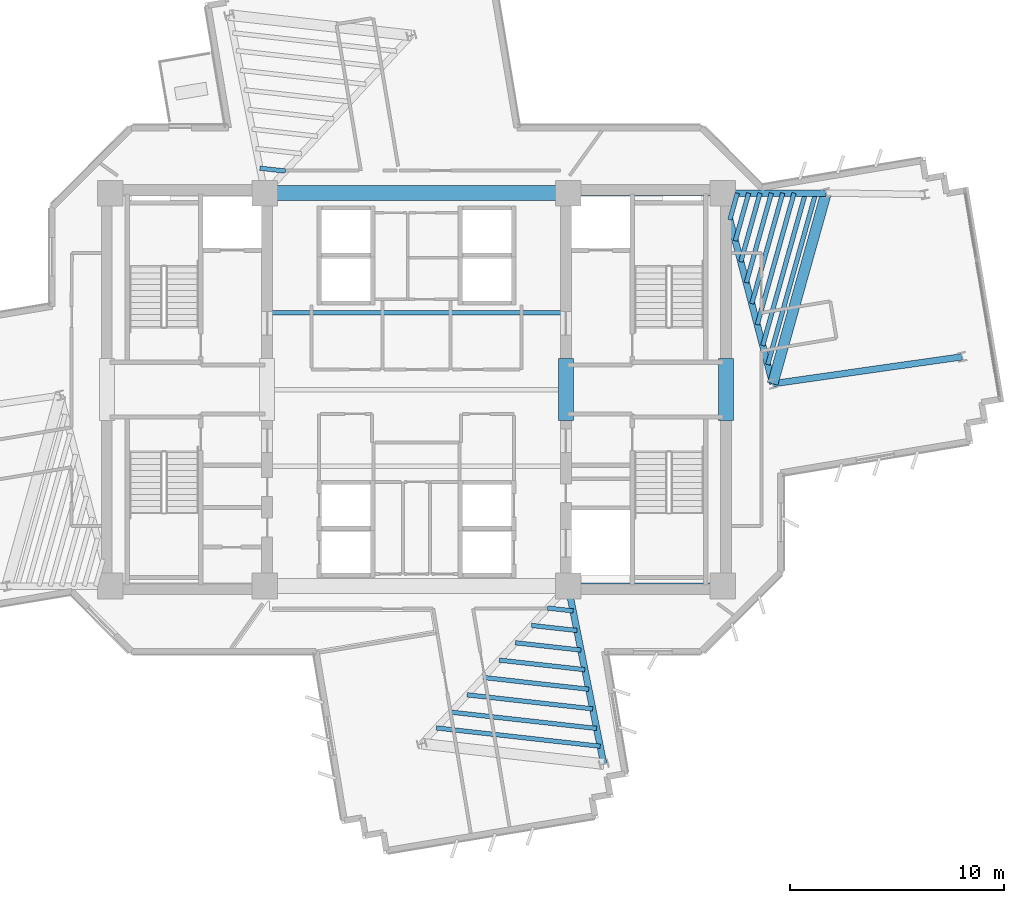
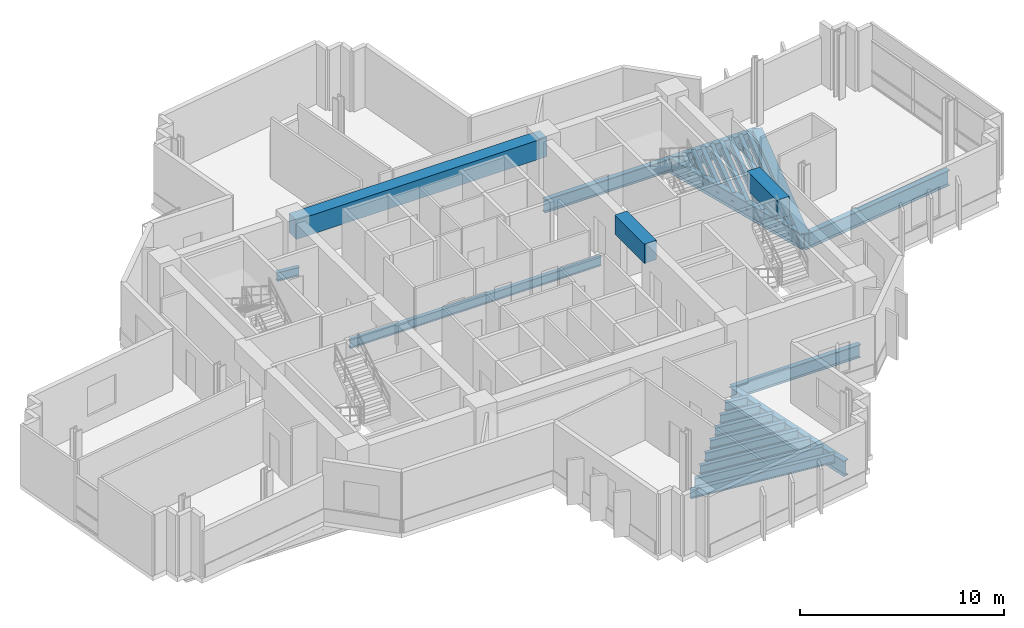
# One storey, part 4 of 15: 28 beams.
"""IFC4 building model written with IfcOpenShell, lengths in metres."""

from ifc_helpers import new_model, si_unit, direction, frame, origin, origin_2d, place, context, subcontext, project, spatial, rectangle, i_section, extrude, source, transform, mapped, material, material_profile, profile_set, type_object, element, save


model = new_model("IFC4")

# Units and contexts
model_context = context("Model", 3, precision=1e-05, world=origin(), true_north=direction((0.0, 1.0)))
body_context = subcontext(model_context, "Body", "Model", "MODEL_VIEW")
ifc_project = project(units=[si_unit("LENGTHUNIT", "METRE"), si_unit("AREAUNIT", "SQUARE_METRE"), si_unit("VOLUMEUNIT", "CUBIC_METRE"), si_unit("PLANEANGLEUNIT", "RADIAN"), si_unit("MASSUNIT", "GRAM", prefix="KILO")], contexts=[model_context])

# Site, building, storey
site_placement = place(None, origin())
site = spatial("IfcSite", under=ifc_project, at=site_placement, CompositionType="ELEMENT")
building_placement = place(site_placement, origin())
building = spatial("IfcBuilding", under=site, at=building_placement, Name="Zahravan Cultural Tower", CompositionType="ELEMENT")
storey_placement = place(building_placement, frame((0.0, 0.0, 143.39990234375)))
storey = spatial("IfcBuildingStorey", under=building, at=storey_placement, Name="L32", CompositionType="ELEMENT", Elevation=143.39990234375)

# Beams
ifc_material_1 = material(Name="Concrete C50/60", Category="concrete")
ifc_material_profile_1 = material_profile(ifc_material_1, rectangle(XDim=0.699951171875, YDim=1.14990234375, at=origin_2d()), Name="RC700X1150")
ifc_profile_set_1 = profile_set([ifc_material_profile_1], Name="Concrete C50/60")
beam_type_1 = type_object("IfcBeamType", Name="BM-LN-RC700X1150", PredefinedType="LINTEL", material=ifc_profile_set_1)
shared_shape_1 = source(origin(), body_context, "Body", "SweptSolid", [
    extrude(rectangle(XDim=0.699951171875, YDim=1.14990234375, at=origin_2d()), origin(), (0.0, 0.0, 1.0), 14.2001953125),
])
beam_1_placement = place(storey_placement, frame((28.89990234375, 36.199951171875, 3.045166015625), z_axis=(1.0, 0.0, 0.0), x_axis=(0.0, 1.0, 0.0)))
element("IfcBeam", 1, at=beam_1_placement, inside=storey, type_object=beam_type_1, Name="L32 Beam LN-L32-N", PredefinedType="LINTEL", context=body_context, shape_type="MappedRepresentation", body=[
    mapped(shared_shape_1, transform((0.0, 0.0, 0.0), x_axis=(1.0, 0.0, 0.0), y_axis=(0.0, 1.0, 0.0), z_axis=(0.0, 0.0, 1.0), scale=1.0)),
])
shared_shape_2 = source(origin(), body_context, "Body", "SweptSolid", [
    extrude(rectangle(XDim=0.699951171875, YDim=1.14990234375, at=origin_2d()), origin(), (0.0, 0.0, 1.0), 2.89990234375),
])
for number, where, z_axis, x_axis, name in (
    (2, (43.0, 25.550048828125, 3.045166015625), (0.0, 1.0, 0.0), (-1.0, 0.0, 0.0), "L32 Beam LN-L32-PEW"),
    (3, (50.5, 25.550048828125, 3.045166015625), (0.0, 1.0, 0.0), (-1.0, 0.0, 0.0), "L32 Beam LN-L32-PEE"),
):
    element("IfcBeam", number, at=place(storey_placement, frame(where, z_axis=z_axis, x_axis=x_axis)), inside=storey, type_object=beam_type_1, Name=name, PredefinedType="LINTEL", context=body_context, shape_type="MappedRepresentation", body=[
        mapped(shared_shape_2, transform((0.0, 0.0, 0.0), x_axis=(1.0, 0.0, 0.0), y_axis=(0.0, 1.0, 0.0), z_axis=(0.0, 0.0, 1.0), scale=1.0)),
    ])
ifc_material_2 = material(Name="Steel ASTM A992 Grade 50", Category="steel")
ifc_material_profile_2 = material_profile(ifc_material_2, i_section(OverallWidth=0.26611328125, OverallDepth=0.780029296875, WebThickness=0.0166015625, FlangeThickness=0.030029296875, FilletRadius=0.01904296875, at=origin_2d()), Name="W30X148")
ifc_profile_set_2 = profile_set([ifc_material_profile_2], Name="Steel ASTM A992 Grade 50")
beam_type_2 = type_object("IfcBeamType", Name="BM-G-W30X148", PredefinedType="BEAM", material=ifc_profile_set_2)
shared_shape_3 = source(origin(), body_context, "Body", "SweptSolid", [
    extrude(i_section(OverallWidth=0.26611328125, OverallDepth=0.780029296875, WebThickness=0.0166015625, FlangeThickness=0.030029296875, FilletRadius=0.01904296875, at=origin_2d()), origin(), (0.0, 0.0, 1.0), 7.25),
])
for number, where, z_axis, x_axis, name in (
    (4, (43.10009765625, 17.800048828125, -0.669921875), (1.0, 0.0, 0.0), (0.0, 1.0, 0.0), "L32 Beam BG-L32-04"),
    (5, (43.10009765625, 36.199951171875, -0.669921875), (1.0, 0.0, 0.0), (0.0, 1.0, 0.0), "L32 Beam BG-L32-05"),
):
    element("IfcBeam", number, at=place(storey_placement, frame(where, z_axis=z_axis, x_axis=x_axis)), inside=storey, type_object=beam_type_2, Name=name, PredefinedType="BEAM", context=body_context, shape_type="MappedRepresentation", body=[
        mapped(shared_shape_3, transform((0.0, 0.0, 0.0), x_axis=(1.0, 0.0, 0.0), y_axis=(0.0, 1.0, 0.0), z_axis=(0.0, 0.0, 1.0), scale=1.0)),
    ])
ifc_material_profile_3 = material_profile(ifc_material_2, i_section(OverallWidth=0.304931640625, OverallDepth=0.9189453125, WebThickness=0.017333984375, FlangeThickness=0.02783203125, FilletRadius=0.02392578125, at=origin_2d()), Name="W36X170")
ifc_profile_set_3 = profile_set([ifc_material_profile_3], Name="Steel ASTM A992 Grade 50")
beam_type_3 = type_object("IfcBeamType", Name="BM-G-W36X170", PredefinedType="BEAM", material=ifc_profile_set_3)
shared_shape_4 = source(origin(), body_context, "Body", "SweptSolid", [
    extrude(i_section(OverallWidth=0.304931640625, OverallDepth=0.9189453125, WebThickness=0.017333984375, FlangeThickness=0.02783203125, FilletRadius=0.02392578125, at=origin_2d()), origin(), (0.0, 0.0, 1.0), 9.22900390625),
])
beam_2_placement = place(storey_placement, frame((50.35009765625, 36.199951171875, -0.739501953125), z_axis=(0.252922608408, -0.967486513682, 0.0), x_axis=(0.967486513682, 0.252922608408, 0.0)))
element("IfcBeam", 6, at=beam_2_placement, inside=storey, type_object=beam_type_3, Name="L32 Beam BG-L32-11", PredefinedType="BEAM", context=body_context, shape_type="MappedRepresentation", body=[
    mapped(shared_shape_4, transform((0.0, 0.0, 0.0), x_axis=(1.0, 0.0, 0.0), y_axis=(0.0, 1.0, 0.0), z_axis=(0.0, 0.0, 1.0), scale=1.0)),
])
shared_shape_5 = source(origin(), body_context, "Body", "SweptSolid", [
    extrude(i_section(OverallWidth=0.304931640625, OverallDepth=0.9189453125, WebThickness=0.017333984375, FlangeThickness=0.02783203125, FilletRadius=0.02392578125, at=origin_2d()), origin(), (0.0, 0.0, 1.0), 4.834716796875),
])
beam_3_placement = place(storey_placement, frame((50.35009765625, 36.199951171875, -0.739501953125), z_axis=(0.99999920313, 0.001262433979, 0.0), x_axis=(-0.001262433979, 0.99999920313, 0.0)))
element("IfcBeam", 7, at=beam_3_placement, inside=storey, type_object=beam_type_3, Name="L32 Beam BG-L32-12", PredefinedType="BEAM", context=body_context, shape_type="MappedRepresentation", body=[
    mapped(shared_shape_5, transform((0.0, 0.0, 0.0), x_axis=(1.0, 0.0, 0.0), y_axis=(0.0, 1.0, 0.0), z_axis=(0.0, 0.0, 1.0), scale=1.0)),
])
shared_shape_6 = source(origin(), body_context, "Body", "SweptSolid", [
    extrude(i_section(OverallWidth=0.304931640625, OverallDepth=0.9189453125, WebThickness=0.017333984375, FlangeThickness=0.02783203125, FilletRadius=0.02392578125, at=origin_2d()), origin(), (0.0, 0.0, 1.0), 8.50732421875),
])
beam_4_placement = place(storey_placement, frame((43.10009765625, 17.800048828125, -0.739501953125), z_axis=(0.196524514012, -0.980498911469, 0.0), x_axis=(0.980498911469, 0.196524514012, 0.0)))
element("IfcBeam", 8, at=beam_4_placement, inside=storey, type_object=beam_type_3, Name="L32 Beam BG-L32-10", PredefinedType="BEAM", context=body_context, shape_type="MappedRepresentation", body=[
    mapped(shared_shape_6, transform((0.0, 0.0, 0.0), x_axis=(1.0, 0.0, 0.0), y_axis=(0.0, 1.0, 0.0), z_axis=(0.0, 0.0, 1.0), scale=1.0)),
])
shared_shape_7 = source(origin(), body_context, "Body", "SweptSolid", [
    extrude(i_section(OverallWidth=0.304931640625, OverallDepth=0.9189453125, WebThickness=0.017333984375, FlangeThickness=0.02783203125, FilletRadius=0.02392578125, at=origin_2d()), origin(), (0.0, 0.0, 1.0), 8.9580078125),
])
beam_5_placement = place(storey_placement, frame((52.684326171875, 27.27099609375, -0.739501953125), z_axis=(0.990000122431, 0.141066500584, 0.0), x_axis=(-0.141066500584, 0.990000122431, 0.0)))
element("IfcBeam", 9, at=beam_5_placement, inside=storey, type_object=beam_type_3, Name="L32 Beam BG-L32-15", PredefinedType="BEAM", context=body_context, shape_type="MappedRepresentation", body=[
    mapped(shared_shape_7, transform((0.0, 0.0, 0.0), x_axis=(1.0, 0.0, 0.0), y_axis=(0.0, 1.0, 0.0), z_axis=(0.0, 0.0, 1.0), scale=1.0)),
])
ifc_material_profile_4 = material_profile(ifc_material_1, rectangle(XDim=0.5, YDim=0.85009765625, at=origin_2d()), Name="RC500X850")
ifc_profile_set_4 = profile_set([ifc_material_profile_4], Name="Concrete C50/60")
beam_type_4 = type_object("IfcBeamType", Name="BM-SP-RC500X850", PredefinedType="SPANDREL", material=ifc_profile_set_4)
shared_shape_8 = source(origin(), body_context, "Body", "SweptSolid", [
    extrude(rectangle(XDim=0.5, YDim=0.85009765625, at=origin_2d()), origin(), (0.0, 0.0, 1.0), 9.2783203125),
])
beam_6_placement = place(storey_placement, frame((52.684326171875, 27.27099609375, -0.704833984375), z_axis=(0.269497187032, 0.963001176625, 0.0), x_axis=(-0.963001176625, 0.269497187032, 0.0)))
element("IfcBeam", 10, at=beam_6_placement, inside=storey, type_object=beam_type_4, Name="L32 Beam SP-L32-21", PredefinedType="SPANDREL", context=body_context, shape_type="MappedRepresentation", body=[
    mapped(shared_shape_8, transform((0.0, 0.0, 0.0), x_axis=(1.0, 0.0, 0.0), y_axis=(0.0, 1.0, 0.0), z_axis=(0.0, 0.0, 1.0), scale=1.0)),
])
ifc_material_profile_5 = material_profile(ifc_material_2, i_section(OverallWidth=0.2099609375, OverallDepth=0.532958984375, WebThickness=0.01025390625, FlangeThickness=0.015625, FilletRadius=0.013916015625, at=origin_2d()), Name="W21X62")
ifc_profile_set_5 = profile_set([ifc_material_profile_5], Name="Steel ASTM A992 Grade 50")
beam_type_5 = type_object("IfcBeamType", Name="BM-J-W21X62", PredefinedType="JOIST", material=ifc_profile_set_5)
shared_shape_9 = source(origin(), body_context, "Body", "SweptSolid", [
    extrude(i_section(OverallWidth=0.2099609375, OverallDepth=0.532958984375, WebThickness=0.01025390625, FlangeThickness=0.015625, FilletRadius=0.013916015625, at=origin_2d()), origin(), (0.0, 0.0, 1.0), 14.2001953125),
])
beam_7_placement = place(storey_placement, frame((28.89990234375, 30.60009765625, -0.54638671875), z_axis=(1.0, 0.0, 0.0), x_axis=(0.0, 1.0, 0.0)))
element("IfcBeam", 11, at=beam_7_placement, inside=storey, type_object=beam_type_5, Name="L32 Beam BJ-L32-25", PredefinedType="JOIST", context=body_context, shape_type="MappedRepresentation", body=[
    mapped(shared_shape_9, transform((0.0, 0.0, 0.0), x_axis=(1.0, 0.0, 0.0), y_axis=(0.0, 1.0, 0.0), z_axis=(0.0, 0.0, 1.0), scale=1.0)),
])
shared_shape_10 = source(origin(), body_context, "Body", "SweptSolid", [
    extrude(i_section(OverallWidth=0.2099609375, OverallDepth=0.532958984375, WebThickness=0.01025390625, FlangeThickness=0.015625, FilletRadius=0.013916015625, at=origin_2d()), origin(), (0.0, 0.0, 1.0), 1.299072265625),
])
beam_8_placement = place(storey_placement, frame((50.6767578125, 34.949951171875, -0.54638671875), z_axis=(0.269504444708, 0.962999145525, 0.0), x_axis=(-0.962999145525, 0.269504444708, 0.0)))
element("IfcBeam", 12, at=beam_8_placement, inside=storey, type_object=beam_type_5, Name="L32 Beam BJ-L32-42", PredefinedType="JOIST", context=body_context, shape_type="MappedRepresentation", body=[
    mapped(shared_shape_10, transform((0.0, 0.0, 0.0), x_axis=(1.0, 0.0, 0.0), y_axis=(0.0, 1.0, 0.0), z_axis=(0.0, 0.0, 1.0), scale=1.0)),
])
shared_shape_11 = source(origin(), body_context, "Body", "SweptSolid", [
    extrude(i_section(OverallWidth=0.2099609375, OverallDepth=0.532958984375, WebThickness=0.01025390625, FlangeThickness=0.015625, FilletRadius=0.013916015625, at=origin_2d()), origin(), (0.0, 0.0, 1.0), 2.3193359375),
])
beam_9_placement = place(storey_placement, frame((50.93359375, 33.9677734375, -0.54638671875), z_axis=(0.269462038626, 0.963011012263, 0.0), x_axis=(-0.963011012263, 0.269462038626, 0.0)))
element("IfcBeam", 13, at=beam_9_placement, inside=storey, type_object=beam_type_5, Name="L32 Beam BJ-L32-43", PredefinedType="JOIST", context=body_context, shape_type="MappedRepresentation", body=[
    mapped(shared_shape_11, transform((0.0, 0.0, 0.0), x_axis=(1.0, 0.0, 0.0), y_axis=(0.0, 1.0, 0.0), z_axis=(0.0, 0.0, 1.0), scale=1.0)),
])
shared_shape_12 = source(origin(), body_context, "Body", "SweptSolid", [
    extrude(i_section(OverallWidth=0.2099609375, OverallDepth=0.532958984375, WebThickness=0.01025390625, FlangeThickness=0.015625, FilletRadius=0.013916015625, at=origin_2d()), origin(), (0.0, 0.0, 1.0), 3.340087890625),
])
beam_10_placement = place(storey_placement, frame((51.190185546875, 32.985595703125, -0.54638671875), z_axis=(0.269562146951, 0.962982995141, 0.0), x_axis=(-0.962982995141, 0.269562146951, 0.0)))
element("IfcBeam", 14, at=beam_10_placement, inside=storey, type_object=beam_type_5, Name="L32 Beam BJ-L32-44", PredefinedType="JOIST", context=body_context, shape_type="MappedRepresentation", body=[
    mapped(shared_shape_12, transform((0.0, 0.0, 0.0), x_axis=(1.0, 0.0, 0.0), y_axis=(0.0, 1.0, 0.0), z_axis=(0.0, 0.0, 1.0), scale=1.0)),
])
shared_shape_13 = source(origin(), body_context, "Body", "SweptSolid", [
    extrude(i_section(OverallWidth=0.2099609375, OverallDepth=0.532958984375, WebThickness=0.01025390625, FlangeThickness=0.015625, FilletRadius=0.013916015625, at=origin_2d()), origin(), (0.0, 0.0, 1.0), 4.36083984375),
])
beam_11_placement = place(storey_placement, frame((51.447021484375, 32.00341796875, -0.54638671875), z_axis=(0.269511557673, 0.962997154866, 0.0), x_axis=(-0.962997154866, 0.269511557673, 0.0)))
element("IfcBeam", 15, at=beam_11_placement, inside=storey, type_object=beam_type_5, Name="L32 Beam BJ-L32-45", PredefinedType="JOIST", context=body_context, shape_type="MappedRepresentation", body=[
    mapped(shared_shape_13, transform((0.0, 0.0, 0.0), x_axis=(1.0, 0.0, 0.0), y_axis=(0.0, 1.0, 0.0), z_axis=(0.0, 0.0, 1.0), scale=1.0)),
])
shared_shape_14 = source(origin(), body_context, "Body", "SweptSolid", [
    extrude(i_section(OverallWidth=0.2099609375, OverallDepth=0.532958984375, WebThickness=0.01025390625, FlangeThickness=0.015625, FilletRadius=0.013916015625, at=origin_2d()), origin(), (0.0, 0.0, 1.0), 5.3818359375),
])
beam_12_placement = place(storey_placement, frame((51.703857421875, 31.02099609375, -0.54638671875), z_axis=(0.269510454638, 0.962997463569, 0.0), x_axis=(-0.962997463569, 0.269510454638, 0.0)))
element("IfcBeam", 16, at=beam_12_placement, inside=storey, type_object=beam_type_5, Name="L32 Beam BJ-L32-46", PredefinedType="JOIST", context=body_context, shape_type="MappedRepresentation", body=[
    mapped(shared_shape_14, transform((0.0, 0.0, 0.0), x_axis=(1.0, 0.0, 0.0), y_axis=(0.0, 1.0, 0.0), z_axis=(0.0, 0.0, 1.0), scale=1.0)),
])
shared_shape_15 = source(origin(), body_context, "Body", "SweptSolid", [
    extrude(i_section(OverallWidth=0.2099609375, OverallDepth=0.532958984375, WebThickness=0.01025390625, FlangeThickness=0.015625, FilletRadius=0.013916015625, at=origin_2d()), origin(), (0.0, 0.0, 1.0), 6.402099609375),
])
beam_13_placement = place(storey_placement, frame((51.960693359375, 30.038818359375, -0.54638671875), z_axis=(0.269494133533, 0.963002031146, 0.0), x_axis=(-0.963002031146, 0.269494133533, 0.0)))
element("IfcBeam", 17, at=beam_13_placement, inside=storey, type_object=beam_type_5, Name="L32 Beam BJ-L32-47", PredefinedType="JOIST", context=body_context, shape_type="MappedRepresentation", body=[
    mapped(shared_shape_15, transform((0.0, 0.0, 0.0), x_axis=(1.0, 0.0, 0.0), y_axis=(0.0, 1.0, 0.0), z_axis=(0.0, 0.0, 1.0), scale=1.0)),
])
shared_shape_16 = source(origin(), body_context, "Body", "SweptSolid", [
    extrude(i_section(OverallWidth=0.2099609375, OverallDepth=0.532958984375, WebThickness=0.01025390625, FlangeThickness=0.015625, FilletRadius=0.013916015625, at=origin_2d()), origin(), (0.0, 0.0, 1.0), 7.4228515625),
])
beam_14_placement = place(storey_placement, frame((52.21728515625, 29.056640625, -0.54638671875), z_axis=(0.269504266128, 0.962999195503, 0.0), x_axis=(-0.962999195503, 0.269504266128, 0.0)))
element("IfcBeam", 18, at=beam_14_placement, inside=storey, type_object=beam_type_5, Name="L32 Beam BJ-L32-48", PredefinedType="JOIST", context=body_context, shape_type="MappedRepresentation", body=[
    mapped(shared_shape_16, transform((0.0, 0.0, 0.0), x_axis=(1.0, 0.0, 0.0), y_axis=(0.0, 1.0, 0.0), z_axis=(0.0, 0.0, 1.0), scale=1.0)),
])
shared_shape_17 = source(origin(), body_context, "Body", "SweptSolid", [
    extrude(i_section(OverallWidth=0.2099609375, OverallDepth=0.532958984375, WebThickness=0.01025390625, FlangeThickness=0.015625, FilletRadius=0.013916015625, at=origin_2d()), origin(), (0.0, 0.0, 1.0), 8.350830078125),
])
beam_15_placement = place(storey_placement, frame((52.450927734375, 28.163818359375, -0.54638671875), z_axis=(0.269496539555, 0.963001357822, 0.0), x_axis=(-0.963001357822, 0.269496539555, 0.0)))
element("IfcBeam", 19, at=beam_15_placement, inside=storey, type_object=beam_type_5, Name="L32 Beam BJ-L32-49", PredefinedType="JOIST", context=body_context, shape_type="MappedRepresentation", body=[
    mapped(shared_shape_17, transform((0.0, 0.0, 0.0), x_axis=(1.0, 0.0, 0.0), y_axis=(0.0, 1.0, 0.0), z_axis=(0.0, 0.0, 1.0), scale=1.0)),
])
shared_shape_18 = source(origin(), body_context, "Body", "SweptSolid", [
    extrude(i_section(OverallWidth=0.2099609375, OverallDepth=0.532958984375, WebThickness=0.01025390625, FlangeThickness=0.015625, FilletRadius=0.013916015625, at=origin_2d()), origin(), (0.0, 0.0, 1.0), 1.201171875),
])
for number, where, z_axis, x_axis, name in (
    (20, (42.140380859375, 16.765625, -0.54638671875), (0.99379916149, -0.111190047317, 0.0), (0.111190047317, 0.99379916149, 0.0), "L32 Beam BJ-L32-34"),
    (21, (29.859619140625, 37.234375, -0.54638671875), (-0.99379916149, 0.111190047317, 0.0), (-0.111190047317, -0.99379916149, 0.0), "L32 Beam BJ-L32-50"),
):
    element("IfcBeam", number, at=place(storey_placement, frame(where, z_axis=z_axis, x_axis=x_axis)), inside=storey, type_object=beam_type_5, Name=name, PredefinedType="JOIST", context=body_context, shape_type="MappedRepresentation", body=[
        mapped(shared_shape_18, transform((0.0, 0.0, 0.0), x_axis=(1.0, 0.0, 0.0), y_axis=(0.0, 1.0, 0.0), z_axis=(0.0, 0.0, 1.0), scale=1.0)),
    ])
shared_shape_19 = source(origin(), body_context, "Body", "SweptSolid", [
    extrude(i_section(OverallWidth=0.2099609375, OverallDepth=0.532958984375, WebThickness=0.01025390625, FlangeThickness=0.015625, FilletRadius=0.013916015625, at=origin_2d()), origin(), (0.0, 0.0, 1.0), 2.144775390625),
])
beam_16_placement = place(storey_placement, frame((41.386474609375, 15.953125, -0.54638671875), z_axis=(0.993797370806, -0.111206051, 0.0), x_axis=(0.111206051, 0.993797370806, 0.0)))
element("IfcBeam", 22, at=beam_16_placement, inside=storey, type_object=beam_type_5, Name="L32 Beam BJ-L32-35", PredefinedType="JOIST", context=body_context, shape_type="MappedRepresentation", body=[
    mapped(shared_shape_19, transform((0.0, 0.0, 0.0), x_axis=(1.0, 0.0, 0.0), y_axis=(0.0, 1.0, 0.0), z_axis=(0.0, 0.0, 1.0), scale=1.0)),
])
shared_shape_20 = source(origin(), body_context, "Body", "SweptSolid", [
    extrude(i_section(OverallWidth=0.2099609375, OverallDepth=0.532958984375, WebThickness=0.01025390625, FlangeThickness=0.015625, FilletRadius=0.013916015625, at=origin_2d()), origin(), (0.0, 0.0, 1.0), 3.088623046875),
])
beam_17_placement = place(storey_placement, frame((40.63232421875, 15.140380859375, -0.54638671875), z_axis=(0.993805407368, -0.111134208443, 0.0), x_axis=(0.111134208443, 0.993805407368, 0.0)))
element("IfcBeam", 23, at=beam_17_placement, inside=storey, type_object=beam_type_5, Name="L32 Beam BJ-L32-36", PredefinedType="JOIST", context=body_context, shape_type="MappedRepresentation", body=[
    mapped(shared_shape_20, transform((0.0, 0.0, 0.0), x_axis=(1.0, 0.0, 0.0), y_axis=(0.0, 1.0, 0.0), z_axis=(0.0, 0.0, 1.0), scale=1.0)),
])
shared_shape_21 = source(origin(), body_context, "Body", "SweptSolid", [
    extrude(i_section(OverallWidth=0.2099609375, OverallDepth=0.532958984375, WebThickness=0.01025390625, FlangeThickness=0.015625, FilletRadius=0.013916015625, at=origin_2d()), origin(), (0.0, 0.0, 1.0), 4.0322265625),
])
beam_18_placement = place(storey_placement, frame((39.87841796875, 14.327880859375, -0.54638671875), z_axis=(0.993802245601, -0.11116247855, 0.0), x_axis=(0.11116247855, 0.993802245601, 0.0)))
element("IfcBeam", 24, at=beam_18_placement, inside=storey, type_object=beam_type_5, Name="L32 Beam BJ-L32-37", PredefinedType="JOIST", context=body_context, shape_type="MappedRepresentation", body=[
    mapped(shared_shape_21, transform((0.0, 0.0, 0.0), x_axis=(1.0, 0.0, 0.0), y_axis=(0.0, 1.0, 0.0), z_axis=(0.0, 0.0, 1.0), scale=1.0)),
])
shared_shape_22 = source(origin(), body_context, "Body", "SweptSolid", [
    extrude(i_section(OverallWidth=0.2099609375, OverallDepth=0.532958984375, WebThickness=0.01025390625, FlangeThickness=0.015625, FilletRadius=0.013916015625, at=origin_2d()), origin(), (0.0, 0.0, 1.0), 4.97607421875),
])
beam_19_placement = place(storey_placement, frame((39.124267578125, 13.51513671875, -0.54638671875), z_axis=(0.993806308517, -0.111126149723, 0.0), x_axis=(0.111126149723, 0.993806308517, 0.0)))
element("IfcBeam", 25, at=beam_19_placement, inside=storey, type_object=beam_type_5, Name="L32 Beam BJ-L32-38", PredefinedType="JOIST", context=body_context, shape_type="MappedRepresentation", body=[
    mapped(shared_shape_22, transform((0.0, 0.0, 0.0), x_axis=(1.0, 0.0, 0.0), y_axis=(0.0, 1.0, 0.0), z_axis=(0.0, 0.0, 1.0), scale=1.0)),
])
shared_shape_23 = source(origin(), body_context, "Body", "SweptSolid", [
    extrude(i_section(OverallWidth=0.2099609375, OverallDepth=0.532958984375, WebThickness=0.01025390625, FlangeThickness=0.015625, FilletRadius=0.013916015625, at=origin_2d()), origin(), (0.0, 0.0, 1.0), 5.919921875),
])
beam_20_placement = place(storey_placement, frame((38.370361328125, 12.70263671875, -0.54638671875), z_axis=(0.993804520866, -0.111142135602, 0.0), x_axis=(0.111142135602, 0.993804520866, 0.0)))
element("IfcBeam", 26, at=beam_20_placement, inside=storey, type_object=beam_type_5, Name="L32 Beam BJ-L32-39", PredefinedType="JOIST", context=body_context, shape_type="MappedRepresentation", body=[
    mapped(shared_shape_23, transform((0.0, 0.0, 0.0), x_axis=(1.0, 0.0, 0.0), y_axis=(0.0, 1.0, 0.0), z_axis=(0.0, 0.0, 1.0), scale=1.0)),
])
shared_shape_24 = source(origin(), body_context, "Body", "SweptSolid", [
    extrude(i_section(OverallWidth=0.2099609375, OverallDepth=0.532958984375, WebThickness=0.01025390625, FlangeThickness=0.015625, FilletRadius=0.013916015625, at=origin_2d()), origin(), (0.0, 0.0, 1.0), 6.86376953125),
])
beam_21_placement = place(storey_placement, frame((37.6162109375, 11.889892578125, -0.54638671875), z_axis=(0.993803224695, -0.111153725024, 0.0), x_axis=(0.111153725024, 0.993803224695, 0.0)))
element("IfcBeam", 27, at=beam_21_placement, inside=storey, type_object=beam_type_5, Name="L32 Beam BJ-L32-40", PredefinedType="JOIST", context=body_context, shape_type="MappedRepresentation", body=[
    mapped(shared_shape_24, transform((0.0, 0.0, 0.0), x_axis=(1.0, 0.0, 0.0), y_axis=(0.0, 1.0, 0.0), z_axis=(0.0, 0.0, 1.0), scale=1.0)),
])
shared_shape_25 = source(origin(), body_context, "Body", "SweptSolid", [
    extrude(i_section(OverallWidth=0.2099609375, OverallDepth=0.532958984375, WebThickness=0.01025390625, FlangeThickness=0.015625, FilletRadius=0.013916015625, at=origin_2d()), origin(), (0.0, 0.0, 1.0), 7.7216796875),
])
beam_22_placement = place(storey_placement, frame((36.930908203125, 11.151123046875, -0.54638671875), z_axis=(0.993805212115, -0.11113595446, 0.0), x_axis=(0.11113595446, 0.993805212115, 0.0)))
element("IfcBeam", 28, at=beam_22_placement, inside=storey, type_object=beam_type_5, Name="L32 Beam BJ-L32-41", PredefinedType="JOIST", context=body_context, shape_type="MappedRepresentation", body=[
    mapped(shared_shape_25, transform((0.0, 0.0, 0.0), x_axis=(1.0, 0.0, 0.0), y_axis=(0.0, 1.0, 0.0), z_axis=(0.0, 0.0, 1.0), scale=1.0)),
])

save(model, "model.ifc")
